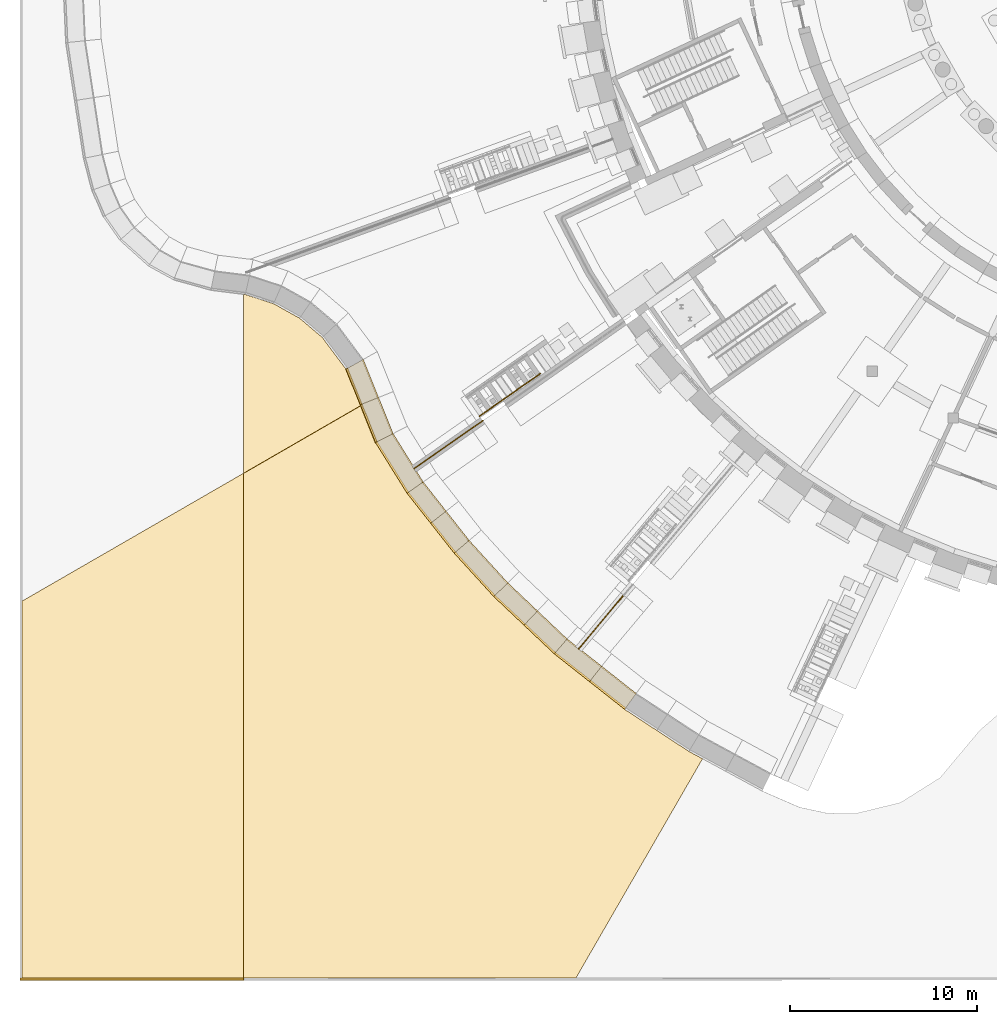
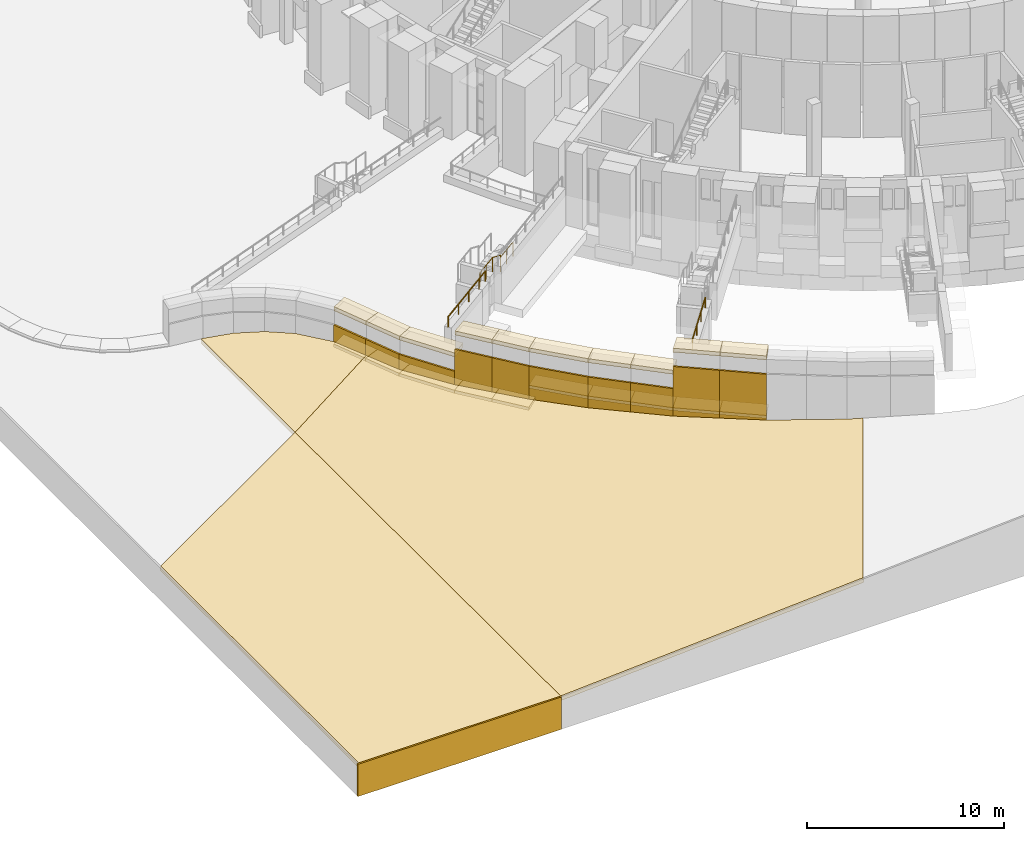
# One storey, part 51 of 65: 34 coverings, 4 railings.
"""IFC4 building model written with IfcOpenShell, lengths in metres."""

from ifc_helpers import new_model, si_unit, direction, frame, origin, origin_2d, place, context, subcontext, project, spatial, polyline, circle, outline, extrude, material, layer, layer_set, type_object, element, save


model = new_model("IFC4")

# Units and contexts
model_context = context("Model", 3, precision=1e-05, world=origin(), true_north=direction((0.0, 1.0)))
body_context = subcontext(model_context, "Body", "Model", "MODEL_VIEW")
ifc_project = project(units=[si_unit("LENGTHUNIT", "METRE"), si_unit("AREAUNIT", "SQUARE_METRE"), si_unit("VOLUMEUNIT", "CUBIC_METRE"), si_unit("PLANEANGLEUNIT", "RADIAN"), si_unit("MASSUNIT", "GRAM", prefix="KILO")], contexts=[model_context])

# Site, building, storey
site_placement = place(None, origin())
site = spatial("IfcSite", under=ifc_project, at=site_placement, CompositionType="ELEMENT")
building_placement = place(site_placement, origin())
building = spatial("IfcBuilding", under=site, at=building_placement, Name="Volute Hill Aquarium", CompositionType="ELEMENT")
storey_placement = place(building_placement, frame((0.0, 0.0, -5.5)))
storey = spatial("IfcBuildingStorey", under=building, at=storey_placement, Name="L00", CompositionType="ELEMENT", Elevation=-5.5)

# Coverings
ifc_material_1 = material(Name="Planting soil and turf")
ifc_layer_1 = layer(ifc_material_1, 0.300048828125)
ifc_layer_set_1 = layer_set([ifc_layer_1], Name="Planted ground soil and turf build-up 300")
covering_type_1 = type_object("IfcCoveringType", Name="Planted ground soil and turf build-up 300", PredefinedType="CLADDING", material=ifc_layer_set_1)
covering_1_placement = place(storey_placement, frame((-61.85009765625, -55.85009765625, 0.0), z_axis=(0.0, 0.0, 1.0), x_axis=(1.0, 0.0, 0.0)))
element("IfcCovering", 1, at=covering_1_placement, inside=storey, type_object=covering_type_1, Name="tn/07/L00/0", PredefinedType="CLADDING", context=body_context, shape_type="SweptSolid", body=[
    extrude(outline(polyline([(0.0, 0.0), (11.85009765625, 0.0), (11.85009765625, 26.982666015625), (0.0, 20.140869140625), (0.0, 0.0)])), origin(), (0.0, 0.0, -1.0), 0.300048828125),
])
covering_2_placement = place(storey_placement, frame((-49.910888671875, -19.318603515625, 0.005615234375), z_axis=(-0.063097739426, -1.1634638e-05, 0.998007352249), x_axis=(-0.990205609603, 0.124794677067, -0.062603029378)))
element("IfcCovering", 2, at=covering_2_placement, inside=storey, type_object=covering_type_1, Name="tn/16/L00/0", PredefinedType="CLADDING", context=body_context, shape_type="SweptSolid", body=[
    extrude(outline(polyline([(0.0, 0.0), (0.08999157039202198, -9.351243737687476e-19), (-1.1030528545533103, 9.485323679435957), (-6.868750138974333, 5.1218207697460425), (-5.845896248664867, 3.2858965652909067), (-4.37725325114614, 1.76342595684475), (-3.0404985082938105, 0.8936613700633751), (-1.5637816383224443, 0.29888409231031465), (0.0, 0.0)])), origin(), (0.0, 0.0, -1.0), 0.300048828125),
])
covering_3_placement = place(storey_placement, frame((-43.747314453125, -25.257568359375, 0.395263671875), z_axis=(-0.063089586576, -1.305872e-06, 0.998007867736), x_axis=(-0.864738008181, -0.499239279839, -0.054665516314)))
element("IfcCovering", 3, at=covering_3_placement, inside=storey, type_object=covering_type_1, Name="tn/17/L00/0", PredefinedType="CLADDING", context=body_context, shape_type="SweptSolid", body=[
    extrude(outline(polyline([(0.0, 0.0), (7.230727683135337, 1.0408340855860843e-17), (20.701534432909984, 23.37951305779803), (5.286860535103132, 32.26113914972142), (-6.440518200543641, 25.490325421927963), (-6.006079003865952, 24.786084339142693), (-4.147529650669395, 21.12522724893208), (-2.361841324312435, 16.668095708633583), (-1.0832113319241328, 12.401121520994685), (-0.4039265857534957, 9.329285991966724), (0.18401152947128943, 5.298258847073217), (0.29568266712796837, 2.1051803051254336), (0.0, 0.0)])), origin(), (0.0, 0.0, -1.0), 0.300048828125),
])
ifc_material_2 = material(Name="Precast concrete C40/50", Category="concrete")
ifc_layer_2 = layer(ifc_material_2, 0.25)
ifc_layer_set_2 = layer_set([ifc_layer_2], Name="Plinth coping precast concrete C40/50 1000")
covering_type_2 = type_object("IfcCoveringType", Name="Plinth coping precast concrete C40/50 1000", PredefinedType="CLADDING", material=ifc_layer_set_2)
covering_4_placement = place(storey_placement, frame((0.0, 0.0, 2.22509765625)))
element("IfcCovering", 4, at=covering_4_placement, inside=storey, type_object=covering_type_2, Name="cp/E5FB1/L00/0", PredefinedType="CLADDING", context=body_context, shape_type="SweptSolid", body=[
    extrude(outline(polyline([(-44.487548828125, -23.28369140625), (-43.71875, -25.194580078125), (-42.791015625, -24.8212890625), (-43.6083984375, -22.789794921875), (-44.487548828125, -23.28369140625)])), origin(), (0.0, 0.0, 1.0), 0.25),
])
covering_5_placement = place(storey_placement, frame((0.0, 0.0, 2.22509765625)))
element("IfcCovering", 5, at=covering_5_placement, inside=storey, type_object=covering_type_2, Name="cp/E5FB1/L00/1", PredefinedType="CLADDING", context=body_context, shape_type="SweptSolid", body=[
    extrude(outline(polyline([(-43.71875, -25.194580078125), (-42.909423828125, -27.20654296875), (-42.01416015625, -26.752197265625), (-42.791015625, -24.8212890625), (-43.71875, -25.194580078125)])), origin(), (0.0, 0.0, 1.0), 0.25),
])
covering_6_placement = place(storey_placement, frame((0.0, 0.0, 2.22509765625)))
element("IfcCovering", 6, at=covering_6_placement, inside=storey, type_object=covering_type_2, Name="cp/E6FB1/L00/0", PredefinedType="CLADDING", context=body_context, shape_type="SweptSolid", body=[
    extrude(outline(polyline([(-42.909423828125, -27.20654296875), (-41.2255859375, -29.911376953125), (-40.40576171875, -29.336181640625), (-42.01416015625, -26.752197265625), (-42.01416015625, -26.752197265625), (-42.909423828125, -27.20654296875), (-42.909423828125, -27.20654296875)])), origin(), (0.0, 0.0, 1.0), 0.25),
])
covering_7_placement = place(storey_placement, frame((0.0, 0.0, 3.60009765625)))
element("IfcCovering", 7, at=covering_7_placement, inside=storey, type_object=covering_type_2, Name="cp/E7FB2/L00/0", PredefinedType="CLADDING", context=body_context, shape_type="SweptSolid", body=[
    extrude(outline(polyline([(-41.2255859375, -29.911376953125), (-39.9658203125, -31.512939453125), (-39.1796875, -30.89453125), (-40.40576171875, -29.336181640625), (-40.40576171875, -29.336181640625), (-41.2255859375, -29.911376953125)])), origin(), (0.0, 0.0, 1.0), 0.25),
])
covering_8_placement = place(storey_placement, frame((0.0, 0.0, 3.60009765625)))
element("IfcCovering", 8, at=covering_8_placement, inside=storey, type_object=covering_type_2, Name="cp/E7FB2/L00/1", PredefinedType="CLADDING", context=body_context, shape_type="SweptSolid", body=[
    extrude(outline(polyline([(-39.9658203125, -31.512939453125), (-38.71142578125, -33.107177734375), (-37.947998046875, -32.460205078125), (-37.947998046875, -32.460205078125), (-39.1796875, -30.89453125), (-39.9658203125, -31.512939453125)])), origin(), (0.0, 0.0, 1.0), 0.25),
])
covering_9_placement = place(storey_placement, frame((0.0, 0.0, 3.60009765625)))
element("IfcCovering", 9, at=covering_9_placement, inside=storey, type_object=covering_type_2, Name="cp/E8FB2/L00/0", PredefinedType="CLADDING", context=body_context, shape_type="SweptSolid", body=[
    extrude(outline(polyline([(-36.59619140625, -35.427001953125), (-36.59619140625, -35.427001953125), (-35.882080078125, -34.725830078125), (-37.947998046875, -32.460205078125), (-38.71142578125, -33.107177734375), (-38.71142578125, -33.107177734375), (-36.59619140625, -35.427001953125)])), origin(), (0.0, 0.0, 1.0), 0.25),
])
covering_10_placement = place(storey_placement, frame((0.0, 0.0, 3.60009765625)))
element("IfcCovering", 10, at=covering_10_placement, inside=storey, type_object=covering_type_2, Name="cp/E9FB2/L00/0", PredefinedType="CLADDING", context=body_context, shape_type="SweptSolid", body=[
    extrude(outline(polyline([(-36.59619140625, -35.427001953125), (-34.9833984375, -36.95361328125), (-34.2958984375, -36.227294921875), (-35.882080078125, -34.725830078125), (-35.882080078125, -34.725830078125), (-36.59619140625, -35.427001953125)])), origin(), (0.0, 0.0, 1.0), 0.25),
])
covering_11_placement = place(storey_placement, frame((0.0, 0.0, 3.60009765625)))
element("IfcCovering", 11, at=covering_11_placement, inside=storey, type_object=covering_type_2, Name="cp/E9FB2/L00/1", PredefinedType="CLADDING", context=body_context, shape_type="SweptSolid", body=[
    extrude(outline(polyline([(-34.9833984375, -36.95361328125), (-33.367431640625, -38.48291015625), (-32.712890625, -37.725830078125), (-34.2958984375, -36.227294921875), (-34.9833984375, -36.95361328125)])), origin(), (0.0, 0.0, 1.0), 0.25),
])
covering_12_placement = place(storey_placement, frame((0.0, 0.0, 4.97509765625)))
element("IfcCovering", 12, at=covering_12_placement, inside=storey, type_object=covering_type_2, Name="cp/E10FB3/L00/0", PredefinedType="CLADDING", context=body_context, shape_type="SweptSolid", body=[
    extrude(outline(polyline([(-33.367431640625, -38.48291015625), (-31.486572265625, -39.966796875), (-30.8671875, -39.181640625), (-32.712890625, -37.725830078125), (-32.712890625, -37.725830078125), (-33.367431640625, -38.48291015625), (-33.367431640625, -38.48291015625)])), origin(), (0.0, 0.0, 1.0), 0.25),
])
covering_13_placement = place(storey_placement, frame((0.0, 0.0, 4.97509765625)))
element("IfcCovering", 13, at=covering_13_placement, inside=storey, type_object=covering_type_2, Name="cp/E10FB3/L00/1", PredefinedType="CLADDING", context=body_context, shape_type="SweptSolid", body=[
    extrude(outline(polyline([(-31.486572265625, -39.966796875), (-29.60595703125, -41.450439453125), (-29.021484375, -40.637939453125), (-30.8671875, -39.181640625), (-31.486572265625, -39.966796875)])), origin(), (0.0, 0.0, 1.0), 0.25),
])
ifc_material_3 = material(Name="Precast concrete C40/50", Category="concrete")
ifc_layer_3 = layer(ifc_material_3, 0.199951171875)
ifc_layer_set_3 = layer_set([ifc_layer_3], Name="Plinth grade course precast concrete C40/50 1100")
covering_type_3 = type_object("IfcCoveringType", Name="Plinth grade course precast concrete C40/50 1100", PredefinedType="CLADDING", material=ifc_layer_set_3)
covering_14_placement = place(storey_placement, origin())
element("IfcCovering", 14, at=covering_14_placement, inside=storey, type_object=covering_type_3, Name="gc/E5FB1/L00/0", PredefinedType="CLADDING", context=body_context, shape_type="SweptSolid", body=[
    extrude(outline(polyline([(-44.531494140625, -23.308349609375), (-43.76513671875, -25.21337890625), (-42.83740234375, -24.840087890625), (-43.65234375, -22.814453125), (-44.531494140625, -23.308349609375), (-44.531494140625, -23.308349609375)])), origin(), (0.0, 0.0, 1.0), 0.199951171875),
])
covering_15_placement = place(storey_placement, origin())
element("IfcCovering", 15, at=covering_15_placement, inside=storey, type_object=covering_type_3, Name="gc/E5FB1/L00/1", PredefinedType="CLADDING", context=body_context, shape_type="SweptSolid", body=[
    extrude(outline(polyline([(-43.76513671875, -25.21337890625), (-42.9541015625, -27.229248046875), (-42.05908203125, -26.77490234375), (-42.83740234375, -24.840087890625), (-43.76513671875, -25.21337890625)])), origin(), (0.0, 0.0, 1.0), 0.199951171875),
])
covering_16_placement = place(storey_placement, origin())
element("IfcCovering", 16, at=covering_16_placement, inside=storey, type_object=covering_type_3, Name="gc/E6FB1/L00/0", PredefinedType="CLADDING", context=body_context, shape_type="SweptSolid", body=[
    extrude(outline(polyline([(-42.9541015625, -27.229248046875), (-41.2666015625, -29.940185546875), (-40.44677734375, -29.364990234375), (-42.05908203125, -26.77490234375), (-42.05908203125, -26.77490234375), (-42.9541015625, -27.229248046875), (-42.9541015625, -27.229248046875)])), origin(), (0.0, 0.0, 1.0), 0.199951171875),
])
covering_17_placement = place(storey_placement, origin())
element("IfcCovering", 17, at=covering_17_placement, inside=storey, type_object=covering_type_3, Name="gc/E7FB2/L00/0", PredefinedType="CLADDING", context=body_context, shape_type="SweptSolid", body=[
    extrude(outline(polyline([(-41.2666015625, -29.940185546875), (-40.005126953125, -31.543701171875), (-39.218994140625, -30.925537109375), (-40.44677734375, -29.364990234375), (-40.44677734375, -29.364990234375), (-41.2666015625, -29.940185546875)])), origin(), (0.0, 0.0, 1.0), 0.199951171875),
])
covering_18_placement = place(storey_placement, origin())
element("IfcCovering", 18, at=covering_18_placement, inside=storey, type_object=covering_type_3, Name="gc/E7FB2/L00/1", PredefinedType="CLADDING", context=body_context, shape_type="SweptSolid", body=[
    extrude(outline(polyline([(-40.005126953125, -31.543701171875), (-38.749755859375, -33.139404296875), (-37.986328125, -32.492431640625), (-39.218994140625, -30.925537109375), (-40.005126953125, -31.543701171875)])), origin(), (0.0, 0.0, 1.0), 0.199951171875),
])
covering_19_placement = place(storey_placement, frame((0.0, 0.0, 1.375)))
element("IfcCovering", 19, at=covering_19_placement, inside=storey, type_object=covering_type_3, Name="gc/E8FB2/L00/0", PredefinedType="CLADDING", context=body_context, shape_type="SweptSolid", body=[
    extrude(outline(polyline([(-36.6318359375, -35.4619140625), (-36.6318359375, -35.4619140625), (-35.917724609375, -34.760986328125), (-35.917724609375, -34.760986328125), (-37.986328125, -32.492431640625), (-38.749755859375, -33.139404296875), (-38.749755859375, -33.139404296875), (-36.6318359375, -35.4619140625)])), origin(), (0.0, 0.0, 1.0), 0.199951171875),
])
covering_20_placement = place(storey_placement, frame((0.0, 0.0, 1.375)))
element("IfcCovering", 20, at=covering_20_placement, inside=storey, type_object=covering_type_3, Name="gc/E9FB2/L00/0", PredefinedType="CLADDING", context=body_context, shape_type="SweptSolid", body=[
    extrude(outline(polyline([(-36.6318359375, -35.4619140625), (-35.017578125, -36.98974609375), (-34.330322265625, -36.263671875), (-35.917724609375, -34.760986328125), (-36.6318359375, -35.4619140625)])), origin(), (0.0, 0.0, 1.0), 0.199951171875),
])
covering_21_placement = place(storey_placement, frame((0.0, 0.0, 1.375)))
element("IfcCovering", 21, at=covering_21_placement, inside=storey, type_object=covering_type_3, Name="gc/E9FB2/L00/1", PredefinedType="CLADDING", context=body_context, shape_type="SweptSolid", body=[
    extrude(outline(polyline([(-35.017578125, -36.98974609375), (-33.400146484375, -38.520751953125), (-32.74560546875, -37.763671875), (-34.330322265625, -36.263671875), (-35.017578125, -36.98974609375)])), origin(), (0.0, 0.0, 1.0), 0.199951171875),
])
covering_22_placement = place(storey_placement, frame((0.0, 0.0, 1.375)))
element("IfcCovering", 22, at=covering_22_placement, inside=storey, type_object=covering_type_3, Name="gc/E10FB3/L00/0", PredefinedType="CLADDING", context=body_context, shape_type="SweptSolid", body=[
    extrude(outline(polyline([(-33.400146484375, -38.520751953125), (-31.517578125, -40.006103515625), (-30.898193359375, -39.220947265625), (-32.74560546875, -37.763671875), (-32.74560546875, -37.763671875), (-33.400146484375, -38.520751953125), (-33.400146484375, -38.520751953125)])), origin(), (0.0, 0.0, 1.0), 0.199951171875),
])
covering_23_placement = place(storey_placement, frame((0.0, 0.0, 1.375)))
element("IfcCovering", 23, at=covering_23_placement, inside=storey, type_object=covering_type_3, Name="gc/E10FB3/L00/1", PredefinedType="CLADDING", context=body_context, shape_type="SweptSolid", body=[
    extrude(outline(polyline([(-29.63525390625, -41.4912109375), (-29.63525390625, -41.4912109375), (-29.050537109375, -40.678466796875), (-29.050537109375, -40.678466796875), (-30.898193359375, -39.220947265625), (-31.517578125, -40.006103515625), (-29.63525390625, -41.4912109375)])), origin(), (0.0, 0.0, 1.0), 0.199951171875),
])
ifc_material_4 = material(Name="Precast concrete C40/50", Category="concrete")
ifc_layer_4 = layer(ifc_material_4, 0.10009765625)
ifc_layer_set_4 = layer_set([ifc_layer_4], Name="Retained ground face precast concrete C40/50 100")
covering_type_4 = type_object("IfcCoveringType", Name="Retained ground face precast concrete C40/50 100", PredefinedType="CLADDING", material=ifc_layer_set_4)
covering_24_placement = place(storey_placement, frame((0.0, 0.0, 0.0263671875)))
element("IfcCovering", 24, at=covering_24_placement, inside=storey, type_object=covering_type_4, Name="tg/E5FB1/L00/0", PredefinedType="CLADDING", context=body_context, shape_type="SweptSolid", body=[
    extrude(outline(polyline([(-44.531494140625, -23.308349609375), (-43.76513671875, -25.21337890625), (-43.67236328125, -25.176025390625), (-44.443603515625, -23.259033203125), (-44.531494140625, -23.308349609375), (-44.531494140625, -23.308349609375)])), origin(), (0.0, 0.0, 1.0), 1.3486328125),
])
covering_25_placement = place(storey_placement, frame((0.0, 0.0, 0.076416015625)))
element("IfcCovering", 25, at=covering_25_placement, inside=storey, type_object=covering_type_4, Name="tg/E5FB1/L00/1", PredefinedType="CLADDING", context=body_context, shape_type="SweptSolid", body=[
    extrude(outline(polyline([(-43.76513671875, -25.21337890625), (-42.9541015625, -27.229248046875), (-42.864501953125, -27.183837890625), (-43.67236328125, -25.176025390625), (-43.76513671875, -25.21337890625)])), origin(), (0.0, 0.0, 1.0), 1.298583984375),
])
covering_26_placement = place(storey_placement, frame((0.0, 0.0, 0.126708984375)))
element("IfcCovering", 26, at=covering_26_placement, inside=storey, type_object=covering_type_4, Name="tg/E6FB1/L00/0", PredefinedType="CLADDING", context=body_context, shape_type="SweptSolid", body=[
    extrude(outline(polyline([(-42.9541015625, -27.229248046875), (-41.2666015625, -29.940185546875), (-41.1845703125, -29.882568359375), (-41.1845703125, -29.882568359375), (-42.864501953125, -27.183837890625), (-42.864501953125, -27.183837890625), (-42.9541015625, -27.229248046875), (-42.9541015625, -27.229248046875)])), origin(), (0.0, 0.0, 1.0), 1.248291015625),
])
covering_27_placement = place(storey_placement, frame((0.0, 0.0, 0.230712890625)))
element("IfcCovering", 27, at=covering_27_placement, inside=storey, type_object=covering_type_4, Name="tg/E7FB2/L00/0", PredefinedType="CLADDING", context=body_context, shape_type="SweptSolid", body=[
    extrude(outline(polyline([(-41.2666015625, -29.940185546875), (-40.005126953125, -31.543701171875), (-39.926513671875, -31.48193359375), (-41.1845703125, -29.882568359375), (-41.2666015625, -29.940185546875)])), origin(), (0.0, 0.0, 1.0), 2.519287109375),
])
covering_28_placement = place(storey_placement, frame((0.0, 0.0, 0.30908203125)))
element("IfcCovering", 28, at=covering_28_placement, inside=storey, type_object=covering_type_4, Name="tg/E7FB2/L00/1", PredefinedType="CLADDING", context=body_context, shape_type="SweptSolid", body=[
    extrude(outline(polyline([(-40.005126953125, -31.543701171875), (-38.749755859375, -33.139404296875), (-38.67333984375, -33.07470703125), (-38.67333984375, -33.07470703125), (-39.926513671875, -31.48193359375), (-40.005126953125, -31.543701171875)])), origin(), (0.0, 0.0, 1.0), 2.44091796875),
])
covering_29_placement = place(storey_placement, frame((0.0, 0.0, 0.3876953125)))
element("IfcCovering", 29, at=covering_29_placement, inside=storey, type_object=covering_type_4, Name="tg/E8FB2/L00/0", PredefinedType="CLADDING", context=body_context, shape_type="SweptSolid", body=[
    extrude(outline(polyline([(-36.6318359375, -35.4619140625), (-36.6318359375, -35.4619140625), (-36.560302734375, -35.391845703125), (-38.67333984375, -33.07470703125), (-38.749755859375, -33.139404296875), (-38.749755859375, -33.139404296875), (-36.6318359375, -35.4619140625)])), origin(), (0.0, 0.0, 1.0), 2.3623046875),
])
covering_30_placement = place(storey_placement, frame((0.0, 0.0, 0.52001953125)))
element("IfcCovering", 30, at=covering_30_placement, inside=storey, type_object=covering_type_4, Name="tg/E9FB2/L00/0", PredefinedType="CLADDING", context=body_context, shape_type="SweptSolid", body=[
    extrude(outline(polyline([(-36.6318359375, -35.4619140625), (-35.017578125, -36.98974609375), (-34.948974609375, -36.917236328125), (-36.560302734375, -35.391845703125), (-36.560302734375, -35.391845703125), (-36.6318359375, -35.4619140625)])), origin(), (0.0, 0.0, 1.0), 2.22998046875),
])
covering_31_placement = place(storey_placement, frame((0.0, 0.0, 0.62109375)))
element("IfcCovering", 31, at=covering_31_placement, inside=storey, type_object=covering_type_4, Name="tg/E9FB2/L00/1", PredefinedType="CLADDING", context=body_context, shape_type="SweptSolid", body=[
    extrude(outline(polyline([(-35.017578125, -36.98974609375), (-33.400146484375, -38.520751953125), (-33.334716796875, -38.445068359375), (-34.948974609375, -36.917236328125), (-35.017578125, -36.98974609375)])), origin(), (0.0, 0.0, 1.0), 2.12890625),
])
covering_32_placement = place(storey_placement, frame((0.0, 0.0, 0.72216796875)))
element("IfcCovering", 32, at=covering_32_placement, inside=storey, type_object=covering_type_4, Name="tg/E10FB3/L00/0", PredefinedType="CLADDING", context=body_context, shape_type="SweptSolid", body=[
    extrude(outline(polyline([(-33.400146484375, -38.520751953125), (-31.517578125, -40.006103515625), (-31.45556640625, -39.927490234375), (-33.334716796875, -38.445068359375), (-33.400146484375, -38.520751953125), (-33.400146484375, -38.520751953125)])), origin(), (0.0, 0.0, 1.0), 3.40283203125),
])
covering_33_placement = place(storey_placement, frame((0.0, 0.0, 0.840087890625)))
element("IfcCovering", 33, at=covering_33_placement, inside=storey, type_object=covering_type_4, Name="tg/E10FB3/L00/1", PredefinedType="CLADDING", context=body_context, shape_type="SweptSolid", body=[
    extrude(outline(polyline([(-29.63525390625, -41.4912109375), (-29.63525390625, -41.4912109375), (-29.57666015625, -41.409912109375), (-29.57666015625, -41.409912109375), (-31.45556640625, -39.927490234375), (-31.517578125, -40.006103515625), (-29.63525390625, -41.4912109375)])), origin(), (0.0, 0.0, 1.0), 3.284912109375),
])
covering_34_placement = place(storey_placement, frame((-61.949951171875, -55.949951171875, -2.0), z_axis=(0.0, -1.0, 0.0), x_axis=(1.0, 0.0, 0.0)))
element("IfcCovering", 34, at=covering_34_placement, inside=storey, type_object=covering_type_4, Name="tf/0/L00/0", PredefinedType="CLADDING", context=body_context, shape_type="SweptSolid", body=[
    extrude(outline(polyline([(0.0, 0.0), (11.949951171875, 0.0), (11.949951171875, 2.0), (0.0, 2.0), (0.0, 0.0)])), origin(), (0.0, 0.0, -1.0), 0.10009765625),
])

# Railings
ifc_material_5 = material(Name="Steel S355", Category="steel")
railing_type_1 = type_object("IfcRailingType", Name="Site guard 1100", PredefinedType="GUARDRAIL", material=ifc_material_5)
railing_1_placement = place(storey_placement, frame((-37.222412109375, -26.063232421875, 3.199951171875)))
element("IfcRailing", 35, at=railing_1_placement, inside=storey, type_object=railing_type_1, Name="gd/RW215/L00/1", PredefinedType="GUARDRAIL", context=body_context, shape_type="SweptSolid", body=[
    extrude(circle(Radius=0.02392578125, at=origin_2d()), frame((0.0, 0.0, 0.6259765625), z_axis=(-0.818975235565, -0.573828862581, 0.0), x_axis=(0.573828862581, -0.818975235565, 0.0)), (0.0, 0.0, 1.0), 0.759765625),
    extrude(circle(Radius=0.02099609375, at=origin_2d()), origin(), (0.0, 0.0, 1.0), 0.601806640625),
    extrude(circle(Radius=0.02099609375, at=origin_2d()), frame((-0.622314453125, -0.43603515625, 0.0)), (0.0, 0.0, 1.0), 0.601806640625),
])
railing_2_placement = place(storey_placement, frame((-37.8447265625, -26.499267578125, 3.199951171875)))
element("IfcRailing", 36, at=railing_2_placement, inside=storey, type_object=railing_type_1, Name="gd/RW215/L00/2", PredefinedType="GUARDRAIL", context=body_context, shape_type="SweptSolid", body=[
    extrude(circle(Radius=0.02392578125, at=origin_2d()), frame((0.0, 0.0, 0.6259765625), z_axis=(-0.81916387774, -0.573559536061, 0.0), x_axis=(0.573559536061, -0.81916387774, 0.0)), (0.0, 0.0, 1.0), 3.708740234375),
    extrude(circle(Radius=0.02099609375, at=origin_2d()), origin(), (0.0, 0.0, 1.0), 0.601806640625),
    extrude(circle(Radius=0.02099609375, at=origin_2d()), frame((-1.0126953125, -0.708984375, 0.0)), (0.0, 0.0, 1.0), 0.601806640625),
    extrude(circle(Radius=0.02099609375, at=origin_2d()), frame((-2.025390625, -1.418212890625, 0.0)), (0.0, 0.0, 1.0), 0.601806640625),
    extrude(circle(Radius=0.02099609375, at=origin_2d()), frame((-3.0380859375, -2.127197265625, 0.0)), (0.0, 0.0, 1.0), 0.601806640625),
])
railing_3_placement = place(storey_placement, frame((-29.69677734375, -35.391357421875, 4.574951171875)))
element("IfcRailing", 37, at=railing_3_placement, inside=storey, type_object=railing_type_1, Name="gd/RW230/L00/2", PredefinedType="GUARDRAIL", context=body_context, shape_type="SweptSolid", body=[
    extrude(circle(Radius=0.02392578125, at=origin_2d()), frame((0.0, 0.0, 0.6259765625), z_axis=(-0.642799287091, -0.766034644461, 0.0), x_axis=(0.766034644461, -0.642799287091, 0.0)), (0.0, 0.0, 1.0), 3.732421875),
    extrude(circle(Radius=0.02099609375, at=origin_2d()), origin(), (0.0, 0.0, 1.0), 0.601806640625),
    extrude(circle(Radius=0.02099609375, at=origin_2d()), frame((-0.7998046875, -0.953125, 0.0)), (0.0, 0.0, 1.0), 0.601806640625),
    extrude(circle(Radius=0.02099609375, at=origin_2d()), frame((-1.599365234375, -1.906005859375, 0.0)), (0.0, 0.0, 1.0), 0.601806640625),
    extrude(circle(Radius=0.02099609375, at=origin_2d()), frame((-2.399169921875, -2.859130859375, 0.0)), (0.0, 0.0, 1.0), 0.601806640625),
])
ifc_material_6 = material(Name="Steel S355", Category="steel")
railing_type_2 = type_object("IfcRailingType", Name="Site handrail 900", PredefinedType="HANDRAIL", material=ifc_material_6)
railing_4_placement = place(storey_placement, frame((-34.150390625, -23.546142578125, 2.138916015625)))
element("IfcRailing", 38, at=railing_4_placement, inside=storey, type_object=railing_type_2, Name="hr/ST215/L00/1", PredefinedType="HANDRAIL", context=body_context, shape_type="SweptSolid", body=[
    extrude(circle(Radius=0.02392578125, at=origin_2d()), frame((0.0, 0.0, 0.8759765625), z_axis=(-0.819163097304, -0.573560650686, 0.0), x_axis=(0.573560650686, -0.819163097304, 0.0)), (0.0, 0.0, 1.0), 1.5),
    extrude(circle(Radius=0.02392578125, at=origin_2d()), frame((-1.228759765625, -0.8603515625, 0.8759765625), z_axis=(0.0, 0.0, 1.0), x_axis=(1.0, 0.0, 0.0)), (0.0, 0.0, 1.0), 0.15283203125),
    extrude(circle(Radius=0.02392578125, at=origin_2d()), frame((-1.228759765625, -0.8603515625, 1.02880859375), z_axis=(-0.739191157036, -0.517732148486, 0.43075498347), x_axis=(0.573684189392, -0.819076584234, 0.0)), (0.0, 0.0, 1.0), 1.063720703125),
    extrude(circle(Radius=0.02392578125, at=origin_2d()), frame((-2.01513671875, -1.4111328125, 1.48681640625), z_axis=(-0.819163097304, -0.573560650686, 0.0), x_axis=(0.573560650686, -0.819163097304, 0.0)), (0.0, 0.0, 1.0), 1.5),
    extrude(circle(Radius=0.02099609375, at=origin_2d()), origin(), (0.0, 0.0, 1.0), 0.851806640625),
    extrude(circle(Radius=0.02099609375, at=origin_2d()), frame((-0.6142578125, -0.43017578125, 0.0)), (0.0, 0.0, 1.0), 0.851806640625),
    extrude(circle(Radius=0.02099609375, at=origin_2d()), frame((-1.228759765625, -0.8603515625, 0.0)), (0.0, 0.0, 1.0), 0.851806640625),
    extrude(circle(Radius=0.02099609375, at=origin_2d()), frame((-1.228759765625, -0.8603515625, 0.15283203125)), (0.0, 0.0, 1.0), 0.851806640625),
    extrude(circle(Radius=0.02099609375, at=origin_2d()), frame((-2.01513671875, -1.4111328125, 0.611083984375)), (0.0, 0.0, 1.0), 0.851806640625),
    extrude(circle(Radius=0.02099609375, at=origin_2d()), frame((-2.62939453125, -1.84130859375, 0.611083984375)), (0.0, 0.0, 1.0), 0.851806640625),
    extrude(circle(Radius=0.02099609375, at=origin_2d()), frame((-3.243896484375, -2.271484375, 0.611083984375)), (0.0, 0.0, 1.0), 0.851806640625),
])

save(model, "model.ifc")
